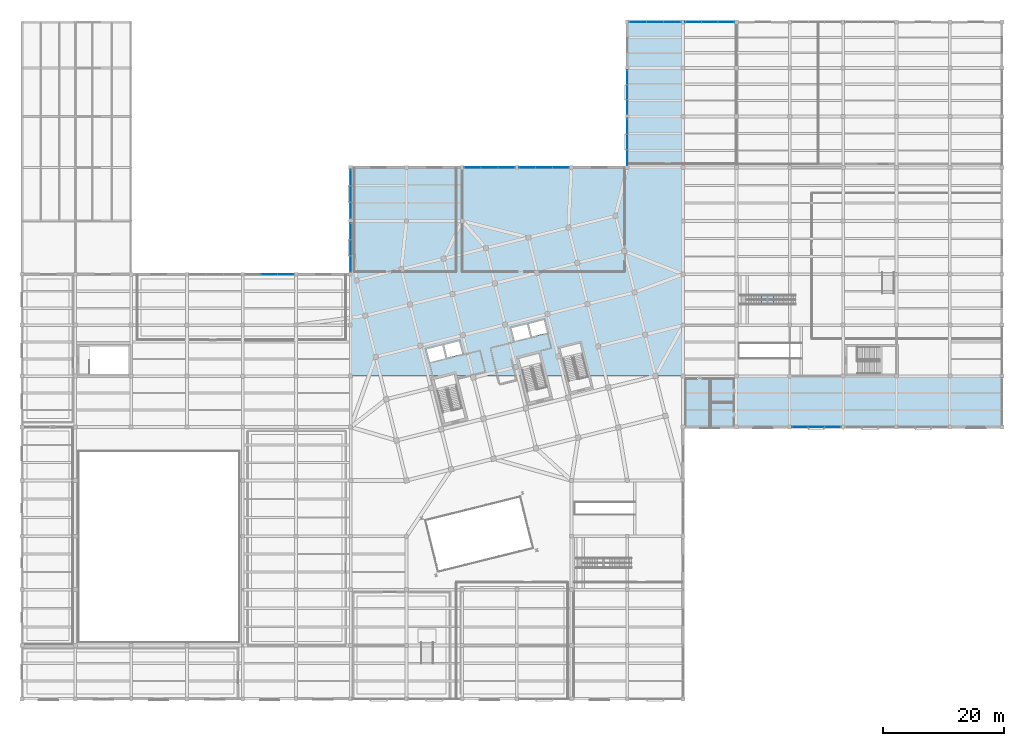
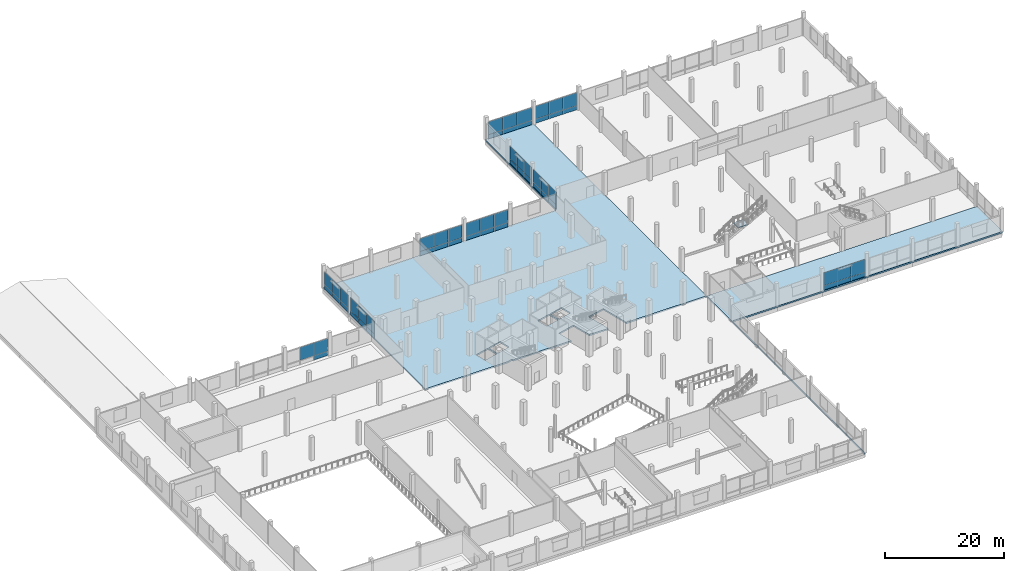
# One storey, part 54 of 71: 57 plates, 3 slabs, 11 elements without a shape of their own.
"""IFC4 building model written with IfcOpenShell, lengths in metres."""

from ifc_helpers import new_model, si_unit, direction, frame, origin, origin_2d, place, context, subcontext, project, spatial, polyline, rectangle, outline, extrude, material, layer, layer_set, type_object, element, aggregate, save


model = new_model("IFC4")

# Units and contexts
model_context = context("Model", 3, precision=1e-05, world=origin(), true_north=direction((0.0, 1.0)))
body_context = subcontext(model_context, "Body", "Model", "MODEL_VIEW")
ifc_project = project(units=[si_unit("LENGTHUNIT", "METRE"), si_unit("AREAUNIT", "SQUARE_METRE"), si_unit("VOLUMEUNIT", "CUBIC_METRE"), si_unit("PLANEANGLEUNIT", "RADIAN"), si_unit("MASSUNIT", "GRAM", prefix="KILO")], contexts=[model_context])

# Site, building, storey
site_placement = place(None, origin())
site = spatial("IfcSite", under=ifc_project, at=site_placement, CompositionType="ELEMENT")
building_placement = place(site_placement, origin())
building = spatial("IfcBuilding", under=site, at=building_placement, Name="Meriwether Solvik Hall", CompositionType="ELEMENT")
storey_placement = place(building_placement, frame((0.0, 0.0, 5.10009765625)))
storey = spatial("IfcBuildingStorey", under=building, at=storey_placement, Name="L01", CompositionType="ELEMENT", Elevation=5.10009765625)

# Curtain wall, plates
ifc_material_1 = material(Name="Thermally Broken Anodised Aluminium 6063-T6 and Low-E Glass", Category="aluminium")
ifc_layer_1 = layer(ifc_material_1, 0.179931640625)
ifc_layer_set_1 = layer_set([ifc_layer_1], Name="Thermally Broken Anodised Aluminium 6063-T6 and Low-E Glass")
curtain_wall_type = type_object("IfcCurtainWallType", Name="CW-SF-POD-B", PredefinedType="USERDEFINED", material=ifc_layer_set_1)
curtain_wall_1_placement = place(storey_placement, origin())
curtain_wall_1 = element("IfcCurtainWall", 1, at=curtain_wall_1_placement, inside=storey, type_object=curtain_wall_type, Name="Curtain Wall wing_XF_15_14 (L01)", ObjectType="STICK STOREFRONT GLAZING", PredefinedType="USERDEFINED")
ifc_material_2 = material(Name="Acoustic Laminated Insulating Glass", Category="glass")
ifc_layer_2 = layer(ifc_material_2, 0.035888671875)
ifc_layer_set_2 = layer_set([ifc_layer_2], Name="Acoustic Laminated Insulating Glass")
plate_type_1 = type_object("IfcPlateType", Name="PLT-GLZ-270X235", PredefinedType="CURTAIN_PANEL", material=ifc_layer_set_2)
plate_1_placement = place(storey_placement, frame((138.847900390625, 50.0, 0.8798828125), z_axis=(0.0, 0.0, 1.0), x_axis=(-1.0, 0.0, 0.0)))
plate_1 = element("IfcPlate", 2, at=plate_1_placement, type_object=plate_type_1, Name="Low-E Vision Glazing Panel 1", PredefinedType="CURTAIN_PANEL", context=body_context, shape_type="SweptSolid", body=[
    extrude(rectangle(XDim=2.64599609375, YDim=0.033935546875, at=origin_2d()), origin(), (0.0, 0.0, 1.0), 2.669921875),
])
plate_2_placement = place(storey_placement, frame((136.175048828125, 50.0, 0.8798828125), z_axis=(0.0, 0.0, 1.0), x_axis=(-1.0, 0.0, 0.0)))
plate_2 = element("IfcPlate", 3, at=plate_2_placement, type_object=plate_type_1, Name="Low-E Vision Glazing Panel 2", PredefinedType="CURTAIN_PANEL", context=body_context, shape_type="SweptSolid", body=[
    extrude(rectangle(XDim=2.68408203125, YDim=0.033935546875, at=origin_2d()), origin(), (0.0, 0.0, 1.0), 2.669921875),
])
plate_3_placement = place(storey_placement, frame((133.501953125, 50.0, 0.8798828125), z_axis=(0.0, 0.0, 1.0), x_axis=(-1.0, 0.0, 0.0)))
plate_3 = element("IfcPlate", 4, at=plate_3_placement, type_object=plate_type_1, Name="Low-E Vision Glazing Panel 3", PredefinedType="CURTAIN_PANEL", context=body_context, shape_type="SweptSolid", body=[
    extrude(rectangle(XDim=2.64599609375, YDim=0.033935546875, at=origin_2d()), origin(), (0.0, 0.0, 1.0), 2.669921875),
])

curtain_wall_2_placement = place(storey_placement, origin())
curtain_wall_2 = element("IfcCurtainWall", 5, at=curtain_wall_2_placement, inside=storey, type_object=curtain_wall_type, Name="Curtain Wall wing_XI_5_22 (L01)", ObjectType="STICK STOREFRONT GLAZING", PredefinedType="USERDEFINED")
plate_4_placement = place(storey_placement, frame((46.0, 75.199951171875, 0.8798828125), z_axis=(0.0, 0.0, 1.0), x_axis=(1.0, 0.0, 0.0)))
plate_4 = element("IfcPlate", 6, at=plate_4_placement, type_object=plate_type_1, Name="Low-E Vision Glazing Panel 2", PredefinedType="CURTAIN_PANEL", context=body_context, shape_type="SweptSolid", body=[
    extrude(rectangle(XDim=2.70068359375, YDim=0.033935546875, at=origin_2d()), origin(), (0.0, 0.0, 1.0), 2.669921875),
])
plate_5_placement = place(storey_placement, frame((48.689697265625, 75.199951171875, 0.8798828125), z_axis=(0.0, 0.0, 1.0), x_axis=(1.0, 0.0, 0.0)))
plate_5 = element("IfcPlate", 7, at=plate_5_placement, type_object=plate_type_1, Name="Low-E Vision Glazing Panel 3", PredefinedType="CURTAIN_PANEL", context=body_context, shape_type="SweptSolid", body=[
    extrude(rectangle(XDim=2.66259765625, YDim=0.033935546875, at=origin_2d()), origin(), (0.0, 0.0, 1.0), 2.669921875),
])

curtain_wall_3_placement = place(storey_placement, origin())
curtain_wall_3 = element("IfcCurtainWall", 8, at=curtain_wall_3_placement, inside=storey, type_object=curtain_wall_type, Name="Curtain Wall wing_XK_9_26 (L01)", ObjectType="STICK STOREFRONT GLAZING", PredefinedType="USERDEFINED")
plate_6_placement = place(storey_placement, frame((79.543701171875, 92.800048828125, 0.8798828125), z_axis=(0.0, 0.0, 1.0), x_axis=(1.0, 0.0, 0.0)))
plate_6 = element("IfcPlate", 9, at=plate_6_placement, type_object=plate_type_1, Name="Low-E Vision Glazing Panel 1", PredefinedType="CURTAIN_PANEL", context=body_context, shape_type="SweptSolid", body=[
    extrude(rectangle(XDim=2.729248046875, YDim=0.033935546875, at=origin_2d()), origin(), (0.0, 0.0, 1.0), 2.669921875),
])
plate_7_placement = place(storey_placement, frame((82.300048828125, 92.800048828125, 0.8798828125), z_axis=(0.0, 0.0, 1.0), x_axis=(1.0, 0.0, 0.0)))
plate_7 = element("IfcPlate", 10, at=plate_7_placement, type_object=plate_type_1, Name="Low-E Vision Glazing Panel 2", PredefinedType="CURTAIN_PANEL", context=body_context, shape_type="SweptSolid", body=[
    extrude(rectangle(XDim=2.767333984375, YDim=0.033935546875, at=origin_2d()), origin(), (0.0, 0.0, 1.0), 2.669921875),
])
plate_8_placement = place(storey_placement, frame((85.056396484375, 92.800048828125, 0.8798828125), z_axis=(0.0, 0.0, 1.0), x_axis=(1.0, 0.0, 0.0)))
plate_8 = element("IfcPlate", 11, at=plate_8_placement, type_object=plate_type_1, Name="Low-E Vision Glazing Panel 3", PredefinedType="CURTAIN_PANEL", context=body_context, shape_type="SweptSolid", body=[
    extrude(rectangle(XDim=2.729248046875, YDim=0.033935546875, at=origin_2d()), origin(), (0.0, 0.0, 1.0), 2.669921875),
])

curtain_wall_4_placement = place(storey_placement, origin())
curtain_wall_4 = element("IfcCurtainWall", 12, at=curtain_wall_4_placement, inside=storey, type_object=curtain_wall_type, Name="Curtain Wall wing_XK_10_27 (L01)", ObjectType="STICK STOREFRONT GLAZING", PredefinedType="USERDEFINED")
plate_9_placement = place(storey_placement, frame((88.535400390625, 92.800048828125, 0.8798828125), z_axis=(0.0, 0.0, 1.0), x_axis=(1.0, 0.0, 0.0)))
plate_9 = element("IfcPlate", 13, at=plate_9_placement, type_object=plate_type_1, Name="Low-E Vision Glazing Panel 1", PredefinedType="CURTAIN_PANEL", context=body_context, shape_type="SweptSolid", body=[
    extrude(rectangle(XDim=2.712646484375, YDim=0.033935546875, at=origin_2d()), origin(), (0.0, 0.0, 1.0), 2.669921875),
])
plate_10_placement = place(storey_placement, frame((91.27490234375, 92.800048828125, 0.8798828125), z_axis=(0.0, 0.0, 1.0), x_axis=(1.0, 0.0, 0.0)))
plate_10 = element("IfcPlate", 14, at=plate_10_placement, type_object=plate_type_1, Name="Low-E Vision Glazing Panel 2", PredefinedType="CURTAIN_PANEL", context=body_context, shape_type="SweptSolid", body=[
    extrude(rectangle(XDim=2.750732421875, YDim=0.033935546875, at=origin_2d()), origin(), (0.0, 0.0, 1.0), 2.669921875),
])
plate_11_placement = place(storey_placement, frame((94.0146484375, 92.800048828125, 0.8798828125), z_axis=(0.0, 0.0, 1.0), x_axis=(1.0, 0.0, 0.0)))
plate_11 = element("IfcPlate", 15, at=plate_11_placement, type_object=plate_type_1, Name="Low-E Vision Glazing Panel 3", PredefinedType="CURTAIN_PANEL", context=body_context, shape_type="SweptSolid", body=[
    extrude(rectangle(XDim=2.712646484375, YDim=0.033935546875, at=origin_2d()), origin(), (0.0, 0.0, 1.0), 2.669921875),
])

curtain_wall_5_placement = place(storey_placement, origin())
curtain_wall_5 = element("IfcCurtainWall", 16, at=curtain_wall_5_placement, inside=storey, type_object=curtain_wall_type, Name="Curtain Wall wing_XN_12_29 (L01)", ObjectType="STICK STOREFRONT GLAZING", PredefinedType="USERDEFINED")
plate_12_placement = place(storey_placement, frame((106.777099609375, 116.800048828125, 0.8798828125), z_axis=(0.0, 0.0, 1.0), x_axis=(1.0, 0.0, 0.0)))
plate_12 = element("IfcPlate", 17, at=plate_12_placement, type_object=plate_type_1, Name="Low-E Vision Glazing Panel 1", PredefinedType="CURTAIN_PANEL", context=body_context, shape_type="SweptSolid", body=[
    extrude(rectangle(XDim=2.7958984375, YDim=0.033935546875, at=origin_2d()), origin(), (0.0, 0.0, 1.0), 2.669921875),
])
plate_13_placement = place(storey_placement, frame((109.60009765625, 116.800048828125, 0.8798828125), z_axis=(0.0, 0.0, 1.0), x_axis=(1.0, 0.0, 0.0)))
plate_13 = element("IfcPlate", 18, at=plate_13_placement, type_object=plate_type_1, Name="Low-E Vision Glazing Panel 2", PredefinedType="CURTAIN_PANEL", context=body_context, shape_type="SweptSolid", body=[
    extrude(rectangle(XDim=2.833984375, YDim=0.033935546875, at=origin_2d()), origin(), (0.0, 0.0, 1.0), 2.669921875),
])
plate_14_placement = place(storey_placement, frame((112.423095703125, 116.800048828125, 0.8798828125), z_axis=(0.0, 0.0, 1.0), x_axis=(1.0, 0.0, 0.0)))
plate_14 = element("IfcPlate", 19, at=plate_14_placement, type_object=plate_type_1, Name="Low-E Vision Glazing Panel 3", PredefinedType="CURTAIN_PANEL", context=body_context, shape_type="SweptSolid", body=[
    extrude(rectangle(XDim=2.7958984375, YDim=0.033935546875, at=origin_2d()), origin(), (0.0, 0.0, 1.0), 2.669921875),
])

curtain_wall_6_placement = place(storey_placement, origin())
curtain_wall_6 = element("IfcCurtainWall", 20, at=curtain_wall_6_placement, inside=storey, type_object=curtain_wall_type, Name="Curtain Wall wing_XN_13_30 (L01)", ObjectType="STICK STOREFRONT GLAZING", PredefinedType="USERDEFINED")
plate_15_placement = place(storey_placement, frame((115.910400390625, 116.800048828125, 0.8798828125), z_axis=(0.0, 0.0, 1.0), x_axis=(1.0, 0.0, 0.0)))
plate_15 = element("IfcPlate", 21, at=plate_15_placement, type_object=plate_type_1, Name="Low-E Vision Glazing Panel 1", PredefinedType="CURTAIN_PANEL", context=body_context, shape_type="SweptSolid", body=[
    extrude(rectangle(XDim=2.66259765625, YDim=0.033935546875, at=origin_2d()), origin(), (0.0, 0.0, 1.0), 2.669921875),
])
plate_16_placement = place(storey_placement, frame((118.60009765625, 116.800048828125, 0.8798828125), z_axis=(0.0, 0.0, 1.0), x_axis=(1.0, 0.0, 0.0)))
plate_16 = element("IfcPlate", 22, at=plate_16_placement, type_object=plate_type_1, Name="Low-E Vision Glazing Panel 2", PredefinedType="CURTAIN_PANEL", context=body_context, shape_type="SweptSolid", body=[
    extrude(rectangle(XDim=2.70068359375, YDim=0.033935546875, at=origin_2d()), origin(), (0.0, 0.0, 1.0), 2.669921875),
])
plate_17_placement = place(storey_placement, frame((121.28955078125, 116.800048828125, 0.8798828125), z_axis=(0.0, 0.0, 1.0), x_axis=(1.0, 0.0, 0.0)))
plate_17 = element("IfcPlate", 23, at=plate_17_placement, type_object=plate_type_1, Name="Low-E Vision Glazing Panel 3", PredefinedType="CURTAIN_PANEL", context=body_context, shape_type="SweptSolid", body=[
    extrude(rectangle(XDim=2.66259765625, YDim=0.033935546875, at=origin_2d()), origin(), (0.0, 0.0, 1.0), 2.669921875),
])

curtain_wall_7_placement = place(storey_placement, origin())
curtain_wall_7 = element("IfcCurtainWall", 24, at=curtain_wall_7_placement, inside=storey, type_object=curtain_wall_type, Name="Curtain Wall wing_Y7_9_44 (L01)", ObjectType="STICK STOREFRONT GLAZING", PredefinedType="USERDEFINED")
plate_18_placement = place(storey_placement, frame((59.39990234375, 76.902099609375, 0.8798828125), z_axis=(0.0, 0.0, 1.0), x_axis=(0.0, 1.0, 0.0)))
plate_18 = element("IfcPlate", 25, at=plate_18_placement, type_object=plate_type_1, Name="Low-E Vision Glazing Panel 1", PredefinedType="CURTAIN_PANEL", context=body_context, shape_type="SweptSolid", body=[
    extrude(rectangle(XDim=2.64599609375, YDim=0.033935546875, at=origin_2d()), origin(), (0.0, 0.0, 1.0), 2.669921875),
])
plate_19_placement = place(storey_placement, frame((59.39990234375, 79.574951171875, 0.8798828125), z_axis=(0.0, 0.0, 1.0), x_axis=(0.0, 1.0, 0.0)))
plate_19 = element("IfcPlate", 26, at=plate_19_placement, type_object=plate_type_1, Name="Low-E Vision Glazing Panel 2", PredefinedType="CURTAIN_PANEL", context=body_context, shape_type="SweptSolid", body=[
    extrude(rectangle(XDim=2.68408203125, YDim=0.033935546875, at=origin_2d()), origin(), (0.0, 0.0, 1.0), 2.669921875),
])
plate_20_placement = place(storey_placement, frame((59.39990234375, 82.248046875, 0.8798828125), z_axis=(0.0, 0.0, 1.0), x_axis=(0.0, 1.0, 0.0)))
plate_20 = element("IfcPlate", 27, at=plate_20_placement, type_object=plate_type_1, Name="Low-E Vision Glazing Panel 3", PredefinedType="CURTAIN_PANEL", context=body_context, shape_type="SweptSolid", body=[
    extrude(rectangle(XDim=2.64599609375, YDim=0.033935546875, at=origin_2d()), origin(), (0.0, 0.0, 1.0), 2.669921875),
])

curtain_wall_8_placement = place(storey_placement, origin())
curtain_wall_8 = element("IfcCurtainWall", 28, at=curtain_wall_8_placement, inside=storey, type_object=curtain_wall_type, Name="Curtain Wall wing_Y7_10_45 (L01)", ObjectType="STICK STOREFRONT GLAZING", PredefinedType="USERDEFINED")
plate_21_placement = place(storey_placement, frame((59.39990234375, 85.751953125, 0.8798828125), z_axis=(0.0, 0.0, 1.0), x_axis=(0.0, 1.0, 0.0)))
plate_21 = element("IfcPlate", 29, at=plate_21_placement, type_object=plate_type_1, Name="Low-E Vision Glazing Panel 1", PredefinedType="CURTAIN_PANEL", context=body_context, shape_type="SweptSolid", body=[
    extrude(rectangle(XDim=2.64599609375, YDim=0.033935546875, at=origin_2d()), origin(), (0.0, 0.0, 1.0), 2.669921875),
])
plate_22_placement = place(storey_placement, frame((59.39990234375, 88.425048828125, 0.8798828125), z_axis=(0.0, 0.0, 1.0), x_axis=(0.0, 1.0, 0.0)))
plate_22 = element("IfcPlate", 30, at=plate_22_placement, type_object=plate_type_1, Name="Low-E Vision Glazing Panel 2", PredefinedType="CURTAIN_PANEL", context=body_context, shape_type="SweptSolid", body=[
    extrude(rectangle(XDim=2.68408203125, YDim=0.033935546875, at=origin_2d()), origin(), (0.0, 0.0, 1.0), 2.669921875),
])
plate_23_placement = place(storey_placement, frame((59.39990234375, 91.097900390625, 0.8798828125), z_axis=(0.0, 0.0, 1.0), x_axis=(0.0, 1.0, 0.0)))
plate_23 = element("IfcPlate", 31, at=plate_23_placement, type_object=plate_type_1, Name="Low-E Vision Glazing Panel 3", PredefinedType="CURTAIN_PANEL", context=body_context, shape_type="SweptSolid", body=[
    extrude(rectangle(XDim=2.64599609375, YDim=0.033935546875, at=origin_2d()), origin(), (0.0, 0.0, 1.0), 2.669921875),
])

curtain_wall_9_placement = place(storey_placement, origin())
curtain_wall_9 = element("IfcCurtainWall", 32, at=curtain_wall_9_placement, inside=storey, type_object=curtain_wall_type, Name="Curtain Wall wing_Y12_11_46 (L01)", ObjectType="STICK STOREFRONT GLAZING", PredefinedType="USERDEFINED")
plate_24_placement = place(storey_placement, frame((105.0, 94.443603515625, 0.8798828125), z_axis=(0.0, 0.0, 1.0), x_axis=(0.0, 1.0, 0.0)))
plate_24 = element("IfcPlate", 33, at=plate_24_placement, type_object=plate_type_1, Name="Low-E Vision Glazing Panel 1", PredefinedType="CURTAIN_PANEL", context=body_context, shape_type="SweptSolid", body=[
    extrude(rectangle(XDim=2.529296875, YDim=0.033935546875, at=origin_2d()), origin(), (0.0, 0.0, 1.0), 2.669921875),
])
plate_25_placement = place(storey_placement, frame((105.0, 97.0, 0.8798828125), z_axis=(0.0, 0.0, 1.0), x_axis=(0.0, 1.0, 0.0)))
plate_25 = element("IfcPlate", 34, at=plate_25_placement, type_object=plate_type_1, Name="Low-E Vision Glazing Panel 2", PredefinedType="CURTAIN_PANEL", context=body_context, shape_type="SweptSolid", body=[
    extrude(rectangle(XDim=2.5673828125, YDim=0.033935546875, at=origin_2d()), origin(), (0.0, 0.0, 1.0), 2.669921875),
])
plate_26_placement = place(storey_placement, frame((105.0, 99.556396484375, 0.8798828125), z_axis=(0.0, 0.0, 1.0), x_axis=(0.0, 1.0, 0.0)))
plate_26 = element("IfcPlate", 35, at=plate_26_placement, type_object=plate_type_1, Name="Low-E Vision Glazing Panel 3", PredefinedType="CURTAIN_PANEL", context=body_context, shape_type="SweptSolid", body=[
    extrude(rectangle(XDim=2.529296875, YDim=0.033935546875, at=origin_2d()), origin(), (0.0, 0.0, 1.0), 2.669921875),
])

curtain_wall_10_placement = place(storey_placement, origin())
curtain_wall_10 = element("IfcCurtainWall", 36, at=curtain_wall_10_placement, inside=storey, type_object=curtain_wall_type, Name="Curtain Wall wing_Y12_12_47 (L01)", ObjectType="STICK STOREFRONT GLAZING", PredefinedType="USERDEFINED")
plate_27_placement = place(storey_placement, frame((105.0, 102.777099609375, 0.8798828125), z_axis=(0.0, 0.0, 1.0), x_axis=(0.0, 1.0, 0.0)))
plate_27 = element("IfcPlate", 37, at=plate_27_placement, type_object=plate_type_1, Name="Low-E Vision Glazing Panel 1", PredefinedType="CURTAIN_PANEL", context=body_context, shape_type="SweptSolid", body=[
    extrude(rectangle(XDim=2.39599609375, YDim=0.033935546875, at=origin_2d()), origin(), (0.0, 0.0, 1.0), 2.669921875),
])
plate_28_placement = place(storey_placement, frame((105.0, 105.199951171875, 0.8798828125), z_axis=(0.0, 0.0, 1.0), x_axis=(0.0, 1.0, 0.0)))
plate_28 = element("IfcPlate", 38, at=plate_28_placement, type_object=plate_type_1, Name="Low-E Vision Glazing Panel 2", PredefinedType="CURTAIN_PANEL", context=body_context, shape_type="SweptSolid", body=[
    extrude(rectangle(XDim=2.43408203125, YDim=0.033935546875, at=origin_2d()), origin(), (0.0, 0.0, 1.0), 2.669921875),
])
plate_29_placement = place(storey_placement, frame((105.0, 107.623046875, 0.8798828125), z_axis=(0.0, 0.0, 1.0), x_axis=(0.0, 1.0, 0.0)))
plate_29 = element("IfcPlate", 39, at=plate_29_placement, type_object=plate_type_1, Name="Low-E Vision Glazing Panel 3", PredefinedType="CURTAIN_PANEL", context=body_context, shape_type="SweptSolid", body=[
    extrude(rectangle(XDim=2.39599609375, YDim=0.033935546875, at=origin_2d()), origin(), (0.0, 0.0, 1.0), 2.669921875),
])

# Plate
ifc_material_3 = material(Name="Mineral-Wool Insulated Anodised Aluminium 6063-T6", Category="aluminium")
ifc_layer_3 = layer(ifc_material_3, 0.044921875)
ifc_layer_set_3 = layer_set([ifc_layer_3], Name="Mineral-Wool Insulated Anodised Aluminium 6063-T6")
plate_type_2 = type_object("IfcPlateType", Name="PLT-SPN-270X105", PredefinedType="CURTAIN_PANEL", material=ifc_layer_set_3)
plate_30_placement = place(storey_placement, frame((138.847900390625, 50.0, 0.0), z_axis=(0.0, 0.0, 1.0), x_axis=(-1.0, 0.0, 0.0)))
plate_30 = element("IfcPlate", 40, at=plate_30_placement, type_object=plate_type_2, Name="Insulated Spandrel Panel 1", PredefinedType="CURTAIN_PANEL", context=body_context, shape_type="SweptSolid", body=[
    extrude(rectangle(XDim=2.64599609375, YDim=0.044921875, at=origin_2d()), origin(), (0.0, 0.0, 1.0), 0.8798828125),
])

plate_31_placement = place(storey_placement, frame((136.175048828125, 50.0, 0.0), z_axis=(0.0, 0.0, 1.0), x_axis=(-1.0, 0.0, 0.0)))
plate_31 = element("IfcPlate", 41, at=plate_31_placement, type_object=plate_type_2, Name="Insulated Spandrel Panel 2", PredefinedType="CURTAIN_PANEL", context=body_context, shape_type="SweptSolid", body=[
    extrude(rectangle(XDim=2.68408203125, YDim=0.044921875, at=origin_2d()), origin(), (0.0, 0.0, 1.0), 0.8798828125),
])

plate_32_placement = place(storey_placement, frame((133.501953125, 50.0, 0.0), z_axis=(0.0, 0.0, 1.0), x_axis=(-1.0, 0.0, 0.0)))
plate_32 = element("IfcPlate", 42, at=plate_32_placement, type_object=plate_type_2, Name="Insulated Spandrel Panel 3", PredefinedType="CURTAIN_PANEL", context=body_context, shape_type="SweptSolid", body=[
    extrude(rectangle(XDim=2.64599609375, YDim=0.044921875, at=origin_2d()), origin(), (0.0, 0.0, 1.0), 0.8798828125),
])

aggregate(curtain_wall_1, [plate_30, plate_1, plate_31, plate_2, plate_32, plate_3])

plate_33_placement = place(storey_placement, frame((48.689697265625, 75.199951171875, 0.0), z_axis=(0.0, 0.0, 1.0), x_axis=(1.0, 0.0, 0.0)))
plate_33 = element("IfcPlate", 43, at=plate_33_placement, type_object=plate_type_2, Name="Insulated Spandrel Panel 3", PredefinedType="CURTAIN_PANEL", context=body_context, shape_type="SweptSolid", body=[
    extrude(rectangle(XDim=2.66259765625, YDim=0.044921875, at=origin_2d()), origin(), (0.0, 0.0, 1.0), 0.8798828125),
])

aggregate(curtain_wall_2, [plate_4, plate_33, plate_5])

plate_34_placement = place(storey_placement, frame((79.543701171875, 92.800048828125, 0.0), z_axis=(0.0, 0.0, 1.0), x_axis=(1.0, 0.0, 0.0)))
plate_34 = element("IfcPlate", 44, at=plate_34_placement, type_object=plate_type_2, Name="Insulated Spandrel Panel 1", PredefinedType="CURTAIN_PANEL", context=body_context, shape_type="SweptSolid", body=[
    extrude(rectangle(XDim=2.729248046875, YDim=0.044921875, at=origin_2d()), origin(), (0.0, 0.0, 1.0), 0.8798828125),
])

plate_35_placement = place(storey_placement, frame((82.300048828125, 92.800048828125, 0.0), z_axis=(0.0, 0.0, 1.0), x_axis=(1.0, 0.0, 0.0)))
plate_35 = element("IfcPlate", 45, at=plate_35_placement, type_object=plate_type_2, Name="Insulated Spandrel Panel 2", PredefinedType="CURTAIN_PANEL", context=body_context, shape_type="SweptSolid", body=[
    extrude(rectangle(XDim=2.767333984375, YDim=0.044921875, at=origin_2d()), origin(), (0.0, 0.0, 1.0), 0.8798828125),
])

plate_36_placement = place(storey_placement, frame((85.056396484375, 92.800048828125, 0.0), z_axis=(0.0, 0.0, 1.0), x_axis=(1.0, 0.0, 0.0)))
plate_36 = element("IfcPlate", 46, at=plate_36_placement, type_object=plate_type_2, Name="Insulated Spandrel Panel 3", PredefinedType="CURTAIN_PANEL", context=body_context, shape_type="SweptSolid", body=[
    extrude(rectangle(XDim=2.729248046875, YDim=0.044921875, at=origin_2d()), origin(), (0.0, 0.0, 1.0), 0.8798828125),
])

aggregate(curtain_wall_3, [plate_34, plate_6, plate_35, plate_7, plate_36, plate_8])

plate_37_placement = place(storey_placement, frame((88.535400390625, 92.800048828125, 0.0), z_axis=(0.0, 0.0, 1.0), x_axis=(1.0, 0.0, 0.0)))
plate_37 = element("IfcPlate", 47, at=plate_37_placement, type_object=plate_type_2, Name="Insulated Spandrel Panel 1", PredefinedType="CURTAIN_PANEL", context=body_context, shape_type="SweptSolid", body=[
    extrude(rectangle(XDim=2.712646484375, YDim=0.044921875, at=origin_2d()), origin(), (0.0, 0.0, 1.0), 0.8798828125),
])

plate_38_placement = place(storey_placement, frame((91.27490234375, 92.800048828125, 0.0), z_axis=(0.0, 0.0, 1.0), x_axis=(1.0, 0.0, 0.0)))
plate_38 = element("IfcPlate", 48, at=plate_38_placement, type_object=plate_type_2, Name="Insulated Spandrel Panel 2", PredefinedType="CURTAIN_PANEL", context=body_context, shape_type="SweptSolid", body=[
    extrude(rectangle(XDim=2.750732421875, YDim=0.044921875, at=origin_2d()), origin(), (0.0, 0.0, 1.0), 0.8798828125),
])

plate_39_placement = place(storey_placement, frame((94.0146484375, 92.800048828125, 0.0), z_axis=(0.0, 0.0, 1.0), x_axis=(1.0, 0.0, 0.0)))
plate_39 = element("IfcPlate", 49, at=plate_39_placement, type_object=plate_type_2, Name="Insulated Spandrel Panel 3", PredefinedType="CURTAIN_PANEL", context=body_context, shape_type="SweptSolid", body=[
    extrude(rectangle(XDim=2.712646484375, YDim=0.044921875, at=origin_2d()), origin(), (0.0, 0.0, 1.0), 0.8798828125),
])

aggregate(curtain_wall_4, [plate_37, plate_9, plate_38, plate_10, plate_39, plate_11])

plate_40_placement = place(storey_placement, frame((106.777099609375, 116.800048828125, 0.0), z_axis=(0.0, 0.0, 1.0), x_axis=(1.0, 0.0, 0.0)))
plate_40 = element("IfcPlate", 50, at=plate_40_placement, type_object=plate_type_2, Name="Insulated Spandrel Panel 1", PredefinedType="CURTAIN_PANEL", context=body_context, shape_type="SweptSolid", body=[
    extrude(rectangle(XDim=2.7958984375, YDim=0.044921875, at=origin_2d()), origin(), (0.0, 0.0, 1.0), 0.8798828125),
])

plate_41_placement = place(storey_placement, frame((109.60009765625, 116.800048828125, 0.0), z_axis=(0.0, 0.0, 1.0), x_axis=(1.0, 0.0, 0.0)))
plate_41 = element("IfcPlate", 51, at=plate_41_placement, type_object=plate_type_2, Name="Insulated Spandrel Panel 2", PredefinedType="CURTAIN_PANEL", context=body_context, shape_type="SweptSolid", body=[
    extrude(rectangle(XDim=2.833984375, YDim=0.044921875, at=origin_2d()), origin(), (0.0, 0.0, 1.0), 0.8798828125),
])

plate_42_placement = place(storey_placement, frame((112.423095703125, 116.800048828125, 0.0), z_axis=(0.0, 0.0, 1.0), x_axis=(1.0, 0.0, 0.0)))
plate_42 = element("IfcPlate", 52, at=plate_42_placement, type_object=plate_type_2, Name="Insulated Spandrel Panel 3", PredefinedType="CURTAIN_PANEL", context=body_context, shape_type="SweptSolid", body=[
    extrude(rectangle(XDim=2.7958984375, YDim=0.044921875, at=origin_2d()), origin(), (0.0, 0.0, 1.0), 0.8798828125),
])

aggregate(curtain_wall_5, [plate_40, plate_12, plate_41, plate_13, plate_42, plate_14])

plate_43_placement = place(storey_placement, frame((115.910400390625, 116.800048828125, 0.0), z_axis=(0.0, 0.0, 1.0), x_axis=(1.0, 0.0, 0.0)))
plate_43 = element("IfcPlate", 53, at=plate_43_placement, type_object=plate_type_2, Name="Insulated Spandrel Panel 1", PredefinedType="CURTAIN_PANEL", context=body_context, shape_type="SweptSolid", body=[
    extrude(rectangle(XDim=2.66259765625, YDim=0.044921875, at=origin_2d()), origin(), (0.0, 0.0, 1.0), 0.8798828125),
])

plate_44_placement = place(storey_placement, frame((118.60009765625, 116.800048828125, 0.0), z_axis=(0.0, 0.0, 1.0), x_axis=(1.0, 0.0, 0.0)))
plate_44 = element("IfcPlate", 54, at=plate_44_placement, type_object=plate_type_2, Name="Insulated Spandrel Panel 2", PredefinedType="CURTAIN_PANEL", context=body_context, shape_type="SweptSolid", body=[
    extrude(rectangle(XDim=2.70068359375, YDim=0.044921875, at=origin_2d()), origin(), (0.0, 0.0, 1.0), 0.8798828125),
])

plate_45_placement = place(storey_placement, frame((121.28955078125, 116.800048828125, 0.0), z_axis=(0.0, 0.0, 1.0), x_axis=(1.0, 0.0, 0.0)))
plate_45 = element("IfcPlate", 55, at=plate_45_placement, type_object=plate_type_2, Name="Insulated Spandrel Panel 3", PredefinedType="CURTAIN_PANEL", context=body_context, shape_type="SweptSolid", body=[
    extrude(rectangle(XDim=2.66259765625, YDim=0.044921875, at=origin_2d()), origin(), (0.0, 0.0, 1.0), 0.8798828125),
])

aggregate(curtain_wall_6, [plate_43, plate_15, plate_44, plate_16, plate_45, plate_17])

plate_46_placement = place(storey_placement, frame((59.39990234375, 76.902099609375, 0.0), z_axis=(0.0, 0.0, 1.0), x_axis=(0.0, 1.0, 0.0)))
plate_46 = element("IfcPlate", 56, at=plate_46_placement, type_object=plate_type_2, Name="Insulated Spandrel Panel 1", PredefinedType="CURTAIN_PANEL", context=body_context, shape_type="SweptSolid", body=[
    extrude(rectangle(XDim=2.64599609375, YDim=0.044921875, at=origin_2d()), origin(), (0.0, 0.0, 1.0), 0.8798828125),
])

plate_47_placement = place(storey_placement, frame((59.39990234375, 79.574951171875, 0.0), z_axis=(0.0, 0.0, 1.0), x_axis=(0.0, 1.0, 0.0)))
plate_47 = element("IfcPlate", 57, at=plate_47_placement, type_object=plate_type_2, Name="Insulated Spandrel Panel 2", PredefinedType="CURTAIN_PANEL", context=body_context, shape_type="SweptSolid", body=[
    extrude(rectangle(XDim=2.68408203125, YDim=0.044921875, at=origin_2d()), origin(), (0.0, 0.0, 1.0), 0.8798828125),
])

plate_48_placement = place(storey_placement, frame((59.39990234375, 82.248046875, 0.0), z_axis=(0.0, 0.0, 1.0), x_axis=(0.0, 1.0, 0.0)))
plate_48 = element("IfcPlate", 58, at=plate_48_placement, type_object=plate_type_2, Name="Insulated Spandrel Panel 3", PredefinedType="CURTAIN_PANEL", context=body_context, shape_type="SweptSolid", body=[
    extrude(rectangle(XDim=2.64599609375, YDim=0.044921875, at=origin_2d()), origin(), (0.0, 0.0, 1.0), 0.8798828125),
])

aggregate(curtain_wall_7, [plate_46, plate_18, plate_47, plate_19, plate_48, plate_20])

plate_49_placement = place(storey_placement, frame((59.39990234375, 85.751953125, 0.0), z_axis=(0.0, 0.0, 1.0), x_axis=(0.0, 1.0, 0.0)))
plate_49 = element("IfcPlate", 59, at=plate_49_placement, type_object=plate_type_2, Name="Insulated Spandrel Panel 1", PredefinedType="CURTAIN_PANEL", context=body_context, shape_type="SweptSolid", body=[
    extrude(rectangle(XDim=2.64599609375, YDim=0.044921875, at=origin_2d()), origin(), (0.0, 0.0, 1.0), 0.8798828125),
])

plate_50_placement = place(storey_placement, frame((59.39990234375, 88.425048828125, 0.0), z_axis=(0.0, 0.0, 1.0), x_axis=(0.0, 1.0, 0.0)))
plate_50 = element("IfcPlate", 60, at=plate_50_placement, type_object=plate_type_2, Name="Insulated Spandrel Panel 2", PredefinedType="CURTAIN_PANEL", context=body_context, shape_type="SweptSolid", body=[
    extrude(rectangle(XDim=2.68408203125, YDim=0.044921875, at=origin_2d()), origin(), (0.0, 0.0, 1.0), 0.8798828125),
])

plate_51_placement = place(storey_placement, frame((59.39990234375, 91.097900390625, 0.0), z_axis=(0.0, 0.0, 1.0), x_axis=(0.0, 1.0, 0.0)))
plate_51 = element("IfcPlate", 61, at=plate_51_placement, type_object=plate_type_2, Name="Insulated Spandrel Panel 3", PredefinedType="CURTAIN_PANEL", context=body_context, shape_type="SweptSolid", body=[
    extrude(rectangle(XDim=2.64599609375, YDim=0.044921875, at=origin_2d()), origin(), (0.0, 0.0, 1.0), 0.8798828125),
])

aggregate(curtain_wall_8, [plate_49, plate_21, plate_50, plate_22, plate_51, plate_23])

plate_52_placement = place(storey_placement, frame((105.0, 94.443603515625, 0.0), z_axis=(0.0, 0.0, 1.0), x_axis=(0.0, 1.0, 0.0)))
plate_52 = element("IfcPlate", 62, at=plate_52_placement, type_object=plate_type_2, Name="Insulated Spandrel Panel 1", PredefinedType="CURTAIN_PANEL", context=body_context, shape_type="SweptSolid", body=[
    extrude(rectangle(XDim=2.529296875, YDim=0.044921875, at=origin_2d()), origin(), (0.0, 0.0, 1.0), 0.8798828125),
])

plate_53_placement = place(storey_placement, frame((105.0, 97.0, 0.0), z_axis=(0.0, 0.0, 1.0), x_axis=(0.0, 1.0, 0.0)))
plate_53 = element("IfcPlate", 63, at=plate_53_placement, type_object=plate_type_2, Name="Insulated Spandrel Panel 2", PredefinedType="CURTAIN_PANEL", context=body_context, shape_type="SweptSolid", body=[
    extrude(rectangle(XDim=2.5673828125, YDim=0.044921875, at=origin_2d()), origin(), (0.0, 0.0, 1.0), 0.8798828125),
])

plate_54_placement = place(storey_placement, frame((105.0, 99.556396484375, 0.0), z_axis=(0.0, 0.0, 1.0), x_axis=(0.0, 1.0, 0.0)))
plate_54 = element("IfcPlate", 64, at=plate_54_placement, type_object=plate_type_2, Name="Insulated Spandrel Panel 3", PredefinedType="CURTAIN_PANEL", context=body_context, shape_type="SweptSolid", body=[
    extrude(rectangle(XDim=2.529296875, YDim=0.044921875, at=origin_2d()), origin(), (0.0, 0.0, 1.0), 0.8798828125),
])

aggregate(curtain_wall_9, [plate_52, plate_24, plate_53, plate_25, plate_54, plate_26])

plate_55_placement = place(storey_placement, frame((105.0, 102.777099609375, 0.0), z_axis=(0.0, 0.0, 1.0), x_axis=(0.0, 1.0, 0.0)))
plate_55 = element("IfcPlate", 65, at=plate_55_placement, type_object=plate_type_2, Name="Insulated Spandrel Panel 1", PredefinedType="CURTAIN_PANEL", context=body_context, shape_type="SweptSolid", body=[
    extrude(rectangle(XDim=2.39599609375, YDim=0.044921875, at=origin_2d()), origin(), (0.0, 0.0, 1.0), 0.8798828125),
])

plate_56_placement = place(storey_placement, frame((105.0, 105.199951171875, 0.0), z_axis=(0.0, 0.0, 1.0), x_axis=(0.0, 1.0, 0.0)))
plate_56 = element("IfcPlate", 66, at=plate_56_placement, type_object=plate_type_2, Name="Insulated Spandrel Panel 2", PredefinedType="CURTAIN_PANEL", context=body_context, shape_type="SweptSolid", body=[
    extrude(rectangle(XDim=2.43408203125, YDim=0.044921875, at=origin_2d()), origin(), (0.0, 0.0, 1.0), 0.8798828125),
])

plate_57_placement = place(storey_placement, frame((105.0, 107.623046875, 0.0), z_axis=(0.0, 0.0, 1.0), x_axis=(0.0, 1.0, 0.0)))
plate_57 = element("IfcPlate", 67, at=plate_57_placement, type_object=plate_type_2, Name="Insulated Spandrel Panel 3", PredefinedType="CURTAIN_PANEL", context=body_context, shape_type="SweptSolid", body=[
    extrude(rectangle(XDim=2.39599609375, YDim=0.044921875, at=origin_2d()), origin(), (0.0, 0.0, 1.0), 0.8798828125),
])

aggregate(curtain_wall_10, [plate_55, plate_27, plate_56, plate_28, plate_57, plate_29])

# Stair, slab
ifc_material_4 = material(Name="Glulam Douglas-Fir 24F-V8 GL28h", Category="wood")
stair_type = type_object("IfcStairType", Name="STR-OPEN-LIB", PredefinedType="TWO_STRAIGHT_RUN_STAIR", material=ifc_material_4)
stair_placement = place(storey_placement, origin())
stair = element("IfcStair", 68, at=stair_placement, inside=storey, type_object=stair_type, Name="Architectural Stair ST-LB1 (L01-L02)", PredefinedType="TWO_STRAIGHT_RUN_STAIR")
ifc_material_5 = material(Name="Cross-Laminated Timber PRG 320 E1", Category="wood")
ifc_layer_4 = layer(ifc_material_5, 0.175048828125)
ifc_layer_set_4 = layer_set([ifc_layer_4], Name="Cross-Laminated Timber PRG 320 E1")
slab_type_1 = type_object("IfcSlabType", Name="SLB-LND-175", PredefinedType="LANDING", material=ifc_layer_set_4)
slab_1_placement = place(storey_placement, frame((0.0, 0.0, 2.224853515625)))
slab_1 = element("IfcSlab", 69, at=slab_1_placement, type_object=slab_type_1, Name="Stair ST-LB1 Intermediate Landing", PredefinedType="LANDING", context=body_context, shape_type="SweptSolid", body=[
    extrude(outline(polyline([(127.172119140625, 70.175048828125), (129.10791015625, 70.175048828125), (129.10791015625, 71.824951171875), (127.172119140625, 71.824951171875), (127.172119140625, 70.175048828125)])), origin(), (0.0, 0.0, 1.0), 0.175048828125),
])
aggregate(stair, [slab_1])

# Slabs
ifc_material_6 = material(Name="Concrete C40/50", Category="concrete")
ifc_layer_5 = layer(ifc_material_6, 0.300048828125)
ifc_layer_set_5 = layer_set([ifc_layer_5], Name="Concrete C40/50")
slab_type_2 = type_object("IfcSlabType", Name="SLB-RC-300", PredefinedType="FLOOR", material=ifc_layer_set_5)
slab_2_placement = place(storey_placement, frame((0.0, 0.0, -0.300048828125)))
element("IfcSlab", 70, at=slab_2_placement, inside=storey, type_object=slab_type_2, Name="L01 Structural Slab Zone 4", PredefinedType="FLOOR", context=body_context, shape_type="SweptSolid", body=[
    extrude(outline(polyline([(98.57861328125, 58.403076171875), (97.221435546875, 63.846923828125), (93.92236328125, 63.0244140625), (95.07470703125, 58.403076171875), (91.364501953125, 58.403076171875), (90.429443359375, 62.1533203125), (87.13037109375, 61.330810546875), (87.8603515625, 58.403076171875), (76.523681640625, 58.403076171875), (76.45703125, 58.669677734375), (75.38720703125, 58.403076171875), (59.403076171875, 58.403076171875), (59.403076171875, 92.9599609375), (104.840087890625, 92.9599609375), (104.840087890625, 116.9599609375), (114.197021484375, 116.9599609375), (114.197021484375, 58.403076171875), (98.57861328125, 58.403076171875)]), holes=[polyline([(75.064208984375, 61.36279296875), (74.531982421875, 63.497314453125), (71.912109375, 62.84423828125), (72.4443359375, 60.70947265625), (75.064208984375, 61.36279296875)]), polyline([(77.82958984375, 62.05224609375), (77.29736328125, 64.186767578125), (74.774658203125, 63.557861328125), (75.306884765625, 61.42333984375), (77.82958984375, 62.05224609375)]), polyline([(88.504150390625, 66.981201171875), (85.884521484375, 66.327880859375), (86.416748046875, 64.193359375), (89.036376953125, 64.846435546875), (88.504150390625, 66.981201171875)]), polyline([(91.8017578125, 65.535888671875), (91.26953125, 67.670654296875), (88.746826171875, 67.04150390625), (89.279052734375, 64.906982421875), (91.8017578125, 65.535888671875)])]), origin(), (0.0, 0.0, 1.0), 0.300048828125),
])
slab_3_placement = place(storey_placement, frame((0.0, 0.0, -0.300048828125)))
element("IfcSlab", 71, at=slab_3_placement, inside=storey, type_object=slab_type_2, Name="L01 Structural Slab Zone 5", PredefinedType="FLOOR", context=body_context, shape_type="SweptSolid", body=[
    extrude(outline(polyline([(166.9599609375, 58.39697265625), (166.9599609375, 49.840087890625), (114.360107421875, 49.840087890625), (114.360107421875, 5.0400390625), (114.202880859375, 5.0400390625), (114.202880859375, 58.39697265625), (166.9599609375, 58.39697265625)])), origin(), (0.0, 0.0, 1.0), 0.300048828125),
])

save(model, "model.ifc")
